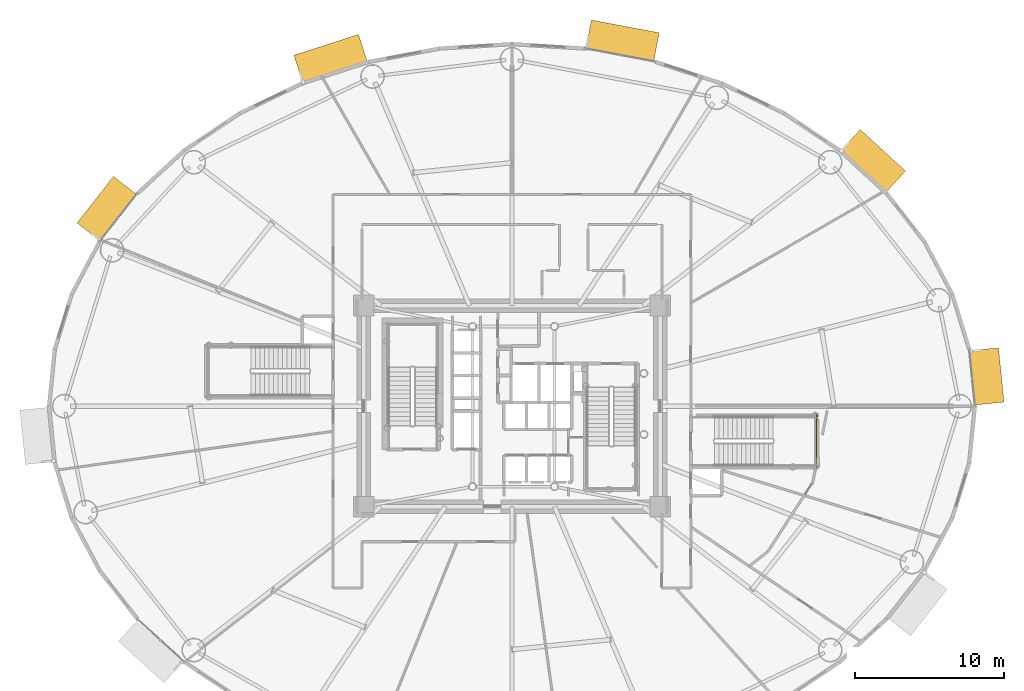
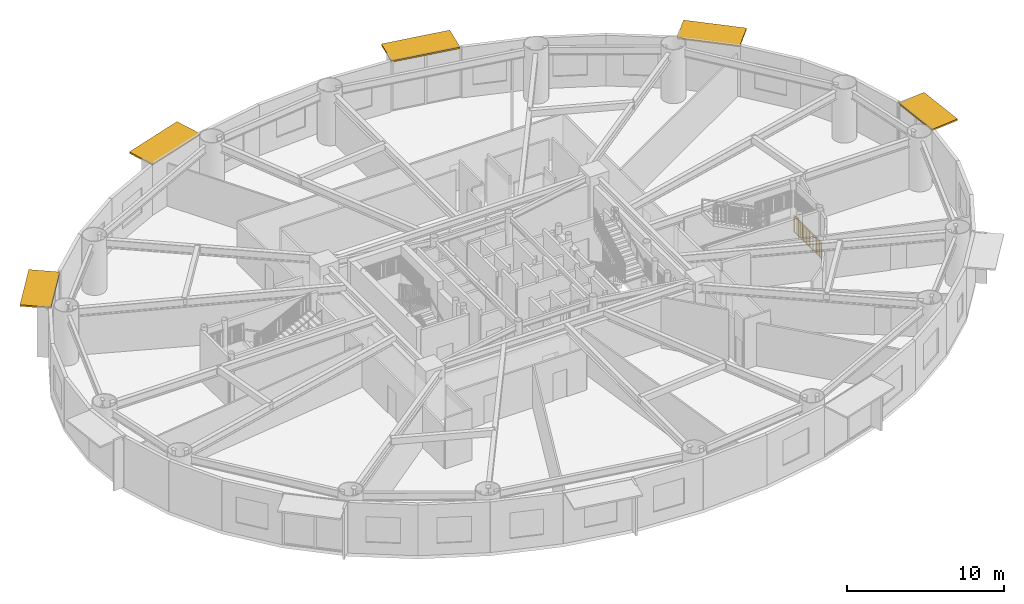
# One storey, part 35 of 35: 5 shading devices, 1 railing.
"""IFC4 building model written with IfcOpenShell, lengths in metres."""

from ifc_helpers import new_model, si_unit, direction, frame, origin, origin_2d, place, context, subcontext, project, spatial, rectangle, extrude, source, transform, mapped, material, layer, layer_set, type_object, element, save


model = new_model("IFC4")

# Units and contexts
model_context = context("Model", 3, precision=1e-05, world=origin(), true_north=direction((0.0, 1.0)))
body_context = subcontext(model_context, "Body", "Model", "MODEL_VIEW")
ifc_project = project(units=[si_unit("LENGTHUNIT", "METRE"), si_unit("AREAUNIT", "SQUARE_METRE"), si_unit("VOLUMEUNIT", "CUBIC_METRE"), si_unit("PLANEANGLEUNIT", "RADIAN"), si_unit("MASSUNIT", "GRAM", prefix="KILO")], contexts=[model_context])

# Site, building, storey
site_placement = place(None, origin())
site = spatial("IfcSite", under=ifc_project, at=site_placement, CompositionType="ELEMENT")
building_placement = place(site_placement, origin())
building = spatial("IfcBuilding", under=site, at=building_placement, Name="Linh Dai School and Residence Tower", CompositionType="ELEMENT")
storey_placement = place(building_placement, frame((0.0, 0.0, 49.199951171875)))
storey = spatial("IfcBuildingStorey", under=building, at=storey_placement, Name="L11", CompositionType="ELEMENT", Elevation=49.199951171875)

# Shading devices
ifc_material_1 = material(Name="Terracotta Ceramic Sunshade", Category="masonry")
ifc_layer = layer(ifc_material_1, 0.1201171875)
ifc_layer_set = layer_set([ifc_layer], Name="Terracotta Ceramic Sunshade")
shading_device_type = type_object("IfcShadingDeviceType", Name="SHD-TC-2000", PredefinedType="USERDEFINED", material=ifc_layer_set)
shared_shape_1 = source(origin(), body_context, "Body", "SweptSolid", [
    extrude(rectangle(XDim=3.663330078125, YDim=2.0, at=origin_2d()), origin(), (0.0, 0.0, 1.0), 0.1201171875),
])
shading_device_1_placement = place(storey_placement, frame((67.83935546875, 28.994384765625, 3.81005859375), z_axis=(0.0, 0.0, 1.0), x_axis=(0.100009387998, -0.994986493533, 0.0)))
element("IfcShadingDevice", 1, at=shading_device_1_placement, inside=storey, type_object=shading_device_type, Name="L11 Terracotta Horizontal Sunshade Band 01", ObjectType="SUNSHADE", PredefinedType="USERDEFINED", context=body_context, shape_type="MappedRepresentation", body=[
    mapped(shared_shape_1, transform((0.0, 0.0, 0.0), x_axis=(1.0, 0.0, 0.0), y_axis=(0.0, 1.0, 0.0), z_axis=(0.0, 0.0, 1.0), scale=1.0)),
])
shared_shape_2 = source(origin(), body_context, "Body", "SweptSolid", [
    extrude(rectangle(XDim=4.1220703125, YDim=2.0, at=origin_2d()), origin(), (0.0, 0.0, 1.0), 0.1201171875),
])
shading_device_2_placement = place(storey_placement, frame((60.2158203125, 43.43310546875, 3.81005859375), z_axis=(0.0, 0.0, 1.0), x_axis=(0.737113246362, -0.675769237268, 0.0)))
element("IfcShadingDevice", 2, at=shading_device_2_placement, inside=storey, type_object=shading_device_type, Name="L11 Terracotta Horizontal Sunshade Band 05", ObjectType="SUNSHADE", PredefinedType="USERDEFINED", context=body_context, shape_type="MappedRepresentation", body=[
    mapped(shared_shape_2, transform((0.0, 0.0, 0.0), x_axis=(1.0, 0.0, 0.0), y_axis=(0.0, 1.0, 0.0), z_axis=(0.0, 0.0, 1.0), scale=1.0)),
])
shared_shape_3 = source(origin(), body_context, "Body", "SweptSolid", [
    extrude(rectangle(XDim=4.635009765625, YDim=2.0, at=origin_2d()), origin(), (0.0, 0.0, 1.0), 0.1201171875),
])
shading_device_3_placement = place(storey_placement, frame((43.415283203125, 51.502685546875, 3.81005859375), z_axis=(0.0, 0.0, 1.0), x_axis=(0.982785935675, -0.184747948944, 0.0)))
element("IfcShadingDevice", 3, at=shading_device_3_placement, inside=storey, type_object=shading_device_type, Name="L11 Terracotta Horizontal Sunshade Band 09", ObjectType="SUNSHADE", PredefinedType="USERDEFINED", context=body_context, shape_type="MappedRepresentation", body=[
    mapped(shared_shape_3, transform((0.0, 0.0, 0.0), x_axis=(1.0, 0.0, 0.0), y_axis=(0.0, 1.0, 0.0), z_axis=(0.0, 0.0, 1.0), scale=1.0)),
])
shared_shape_4 = source(origin(), body_context, "Body", "SweptSolid", [
    extrude(rectangle(XDim=4.54931640625, YDim=2.0, at=origin_2d()), origin(), (0.0, 0.0, 1.0), 0.1201171875),
])
shading_device_4_placement = place(storey_placement, frame((23.839599609375, 50.29541015625, 3.81005859375), z_axis=(0.0, 0.0, 1.0), x_axis=(0.951220777043, 0.308510993844, 0.0)))
element("IfcShadingDevice", 4, at=shading_device_4_placement, inside=storey, type_object=shading_device_type, Name="L11 Terracotta Horizontal Sunshade Band 13", ObjectType="SUNSHADE", PredefinedType="USERDEFINED", context=body_context, shape_type="MappedRepresentation", body=[
    mapped(shared_shape_4, transform((0.0, 0.0, 0.0), x_axis=(1.0, 0.0, 0.0), y_axis=(0.0, 1.0, 0.0), z_axis=(0.0, 0.0, 1.0), scale=1.0)),
])
shared_shape_5 = source(origin(), body_context, "Body", "SweptSolid", [
    extrude(rectangle(XDim=3.964111328125, YDim=2.0, at=origin_2d()), origin(), (0.0, 0.0, 1.0), 0.1201171875),
])
shading_device_5_placement = place(storey_placement, frame((8.82177734375, 40.240478515625, 3.81005859375), z_axis=(0.0, 0.0, 1.0), x_axis=(0.616319427785, 0.787496262172, 0.0)))
element("IfcShadingDevice", 5, at=shading_device_5_placement, inside=storey, type_object=shading_device_type, Name="L11 Terracotta Horizontal Sunshade Band 17", ObjectType="SUNSHADE", PredefinedType="USERDEFINED", context=body_context, shape_type="MappedRepresentation", body=[
    mapped(shared_shape_5, transform((0.0, 0.0, 0.0), x_axis=(1.0, 0.0, 0.0), y_axis=(0.0, 1.0, 0.0), z_axis=(0.0, 0.0, 1.0), scale=1.0)),
])

# Railing
ifc_material_2 = material(Name="Structural Steel S355JR", Category="steel")
railing_type = type_object("IfcRailingType", Name="RL-ST-GUARD-1400", PredefinedType="GUARDRAIL", material=ifc_material_2)
shared_shape_6 = source(origin(), body_context, "Body", "SweptSolid", [
    extrude(rectangle(XDim=0.048095703125, YDim=0.048095703125, at=origin_2d()), frame((0.0, 0.0, 1.3759765625), z_axis=(0.0, 1.0, 0.0), x_axis=(-1.0, 0.0, 0.0)), (0.0, 0.0, 1.0), 3.5),
    extrude(rectangle(XDim=0.048095703125, YDim=0.048095703125, at=origin_2d()), frame((0.0, 0.0, 0.10009765625), z_axis=(0.0, 1.0, 0.0), x_axis=(-1.0, 0.0, 0.0)), (0.0, 0.0, 1.0), 3.5),
    extrude(rectangle(XDim=0.030029296875, YDim=0.030029296875, at=origin_2d()), frame((0.0, 0.0, 1.239990234375), z_axis=(0.0, 1.0, 0.0), x_axis=(-1.0, 0.0, 0.0)), (0.0, 0.0, 1.0), 3.5),
    extrude(rectangle(XDim=0.02001953125, YDim=0.02001953125, at=origin_2d()), frame((0.0, 0.09716796875, 0.10009765625)), (0.0, 0.0, 1.0), 1.251708984375),
    extrude(rectangle(XDim=0.02001953125, YDim=0.02001953125, at=origin_2d()), frame((0.0, 0.1943359375, 0.10009765625)), (0.0, 0.0, 1.0), 1.251708984375),
    extrude(rectangle(XDim=0.02001953125, YDim=0.02001953125, at=origin_2d()), frame((0.0, 0.291748046875, 0.10009765625)), (0.0, 0.0, 1.0), 1.251708984375),
    extrude(rectangle(XDim=0.02001953125, YDim=0.02001953125, at=origin_2d()), frame((0.0, 0.388916015625, 0.10009765625)), (0.0, 0.0, 1.0), 1.251708984375),
    extrude(rectangle(XDim=0.02001953125, YDim=0.02001953125, at=origin_2d()), frame((0.0, 0.486083984375, 0.10009765625)), (0.0, 0.0, 1.0), 1.251708984375),
    extrude(rectangle(XDim=0.02001953125, YDim=0.02001953125, at=origin_2d()), frame((0.0, 0.583251953125, 0.10009765625)), (0.0, 0.0, 1.0), 1.251708984375),
    extrude(rectangle(XDim=0.02001953125, YDim=0.02001953125, at=origin_2d()), frame((0.0, 0.6806640625, 0.10009765625)), (0.0, 0.0, 1.0), 1.251708984375),
    extrude(rectangle(XDim=0.02001953125, YDim=0.02001953125, at=origin_2d()), frame((0.0, 0.77783203125, 0.10009765625)), (0.0, 0.0, 1.0), 1.251708984375),
    extrude(rectangle(XDim=0.02001953125, YDim=0.02001953125, at=origin_2d()), frame((0.0, 0.875, 0.10009765625)), (0.0, 0.0, 1.0), 1.251708984375),
    extrude(rectangle(XDim=0.02001953125, YDim=0.02001953125, at=origin_2d()), frame((0.0, 0.97216796875, 0.10009765625)), (0.0, 0.0, 1.0), 1.251708984375),
    extrude(rectangle(XDim=0.02001953125, YDim=0.02001953125, at=origin_2d()), frame((0.0, 1.0693359375, 0.10009765625)), (0.0, 0.0, 1.0), 1.251708984375),
    extrude(rectangle(XDim=0.02001953125, YDim=0.02001953125, at=origin_2d()), frame((0.0, 1.263916015625, 0.10009765625)), (0.0, 0.0, 1.0), 1.251708984375),
    extrude(rectangle(XDim=0.02001953125, YDim=0.02001953125, at=origin_2d()), frame((0.0, 1.361083984375, 0.10009765625)), (0.0, 0.0, 1.0), 1.251708984375),
    extrude(rectangle(XDim=0.02001953125, YDim=0.02001953125, at=origin_2d()), frame((0.0, 1.458251953125, 0.10009765625)), (0.0, 0.0, 1.0), 1.251708984375),
    extrude(rectangle(XDim=0.02001953125, YDim=0.02001953125, at=origin_2d()), frame((0.0, 1.5556640625, 0.10009765625)), (0.0, 0.0, 1.0), 1.251708984375),
    extrude(rectangle(XDim=0.02001953125, YDim=0.02001953125, at=origin_2d()), frame((0.0, 1.65283203125, 0.10009765625)), (0.0, 0.0, 1.0), 1.251708984375),
    extrude(rectangle(XDim=0.02001953125, YDim=0.02001953125, at=origin_2d()), frame((0.0, 1.75, 0.10009765625)), (0.0, 0.0, 1.0), 1.251708984375),
    extrude(rectangle(XDim=0.02001953125, YDim=0.02001953125, at=origin_2d()), frame((0.0, 1.84716796875, 0.10009765625)), (0.0, 0.0, 1.0), 1.251708984375),
    extrude(rectangle(XDim=0.02001953125, YDim=0.02001953125, at=origin_2d()), frame((0.0, 1.9443359375, 0.10009765625)), (0.0, 0.0, 1.0), 1.251708984375),
    extrude(rectangle(XDim=0.02001953125, YDim=0.02001953125, at=origin_2d()), frame((0.0, 2.041748046875, 0.10009765625)), (0.0, 0.0, 1.0), 1.251708984375),
    extrude(rectangle(XDim=0.02001953125, YDim=0.02001953125, at=origin_2d()), frame((0.0, 2.138916015625, 0.10009765625)), (0.0, 0.0, 1.0), 1.251708984375),
    extrude(rectangle(XDim=0.02001953125, YDim=0.02001953125, at=origin_2d()), frame((0.0, 2.236083984375, 0.10009765625)), (0.0, 0.0, 1.0), 1.251708984375),
    extrude(rectangle(XDim=0.02001953125, YDim=0.02001953125, at=origin_2d()), frame((0.0, 2.4306640625, 0.10009765625)), (0.0, 0.0, 1.0), 1.251708984375),
    extrude(rectangle(XDim=0.02001953125, YDim=0.02001953125, at=origin_2d()), frame((0.0, 2.52783203125, 0.10009765625)), (0.0, 0.0, 1.0), 1.251708984375),
    extrude(rectangle(XDim=0.02001953125, YDim=0.02001953125, at=origin_2d()), frame((0.0, 2.625, 0.10009765625)), (0.0, 0.0, 1.0), 1.251708984375),
    extrude(rectangle(XDim=0.02001953125, YDim=0.02001953125, at=origin_2d()), frame((0.0, 2.72216796875, 0.10009765625)), (0.0, 0.0, 1.0), 1.251708984375),
    extrude(rectangle(XDim=0.02001953125, YDim=0.02001953125, at=origin_2d()), frame((0.0, 2.8193359375, 0.10009765625)), (0.0, 0.0, 1.0), 1.251708984375),
    extrude(rectangle(XDim=0.02001953125, YDim=0.02001953125, at=origin_2d()), frame((0.0, 2.916748046875, 0.10009765625)), (0.0, 0.0, 1.0), 1.251708984375),
    extrude(rectangle(XDim=0.02001953125, YDim=0.02001953125, at=origin_2d()), frame((0.0, 3.013916015625, 0.10009765625)), (0.0, 0.0, 1.0), 1.251708984375),
    extrude(rectangle(XDim=0.02001953125, YDim=0.02001953125, at=origin_2d()), frame((0.0, 3.111083984375, 0.10009765625)), (0.0, 0.0, 1.0), 1.251708984375),
    extrude(rectangle(XDim=0.02001953125, YDim=0.02001953125, at=origin_2d()), frame((0.0, 3.208251953125, 0.10009765625)), (0.0, 0.0, 1.0), 1.251708984375),
    extrude(rectangle(XDim=0.02001953125, YDim=0.02001953125, at=origin_2d()), frame((0.0, 3.3056640625, 0.10009765625)), (0.0, 0.0, 1.0), 1.251708984375),
    extrude(rectangle(XDim=0.02001953125, YDim=0.02001953125, at=origin_2d()), frame((0.0, 3.40283203125, 0.10009765625)), (0.0, 0.0, 1.0), 1.251708984375),
    extrude(rectangle(XDim=0.0419921875, YDim=0.0419921875, at=origin_2d()), origin(), (0.0, 0.0, 1.0), 1.3759765625),
    extrude(rectangle(XDim=0.0419921875, YDim=0.0419921875, at=origin_2d()), frame((0.0, 1.166748046875, 0.0)), (0.0, 0.0, 1.0), 1.3759765625),
    extrude(rectangle(XDim=0.0419921875, YDim=0.0419921875, at=origin_2d()), frame((0.0, 2.333251953125, 0.0)), (0.0, 0.0, 1.0), 1.3759765625),
    extrude(rectangle(XDim=0.0419921875, YDim=0.0419921875, at=origin_2d()), frame((0.0, 3.5, 0.0)), (0.0, 0.0, 1.0), 1.3759765625),
])
railing_placement = place(storey_placement, frame((56.449951171875, 22.89990234375, 0.0)))
element("IfcRailing", 6, at=railing_placement, inside=storey, type_object=railing_type, Name="L11 STS2 stair guard 12", PredefinedType="GUARDRAIL", context=body_context, shape_type="MappedRepresentation", body=[
    mapped(shared_shape_6, transform((0.0, 0.0, 0.0), x_axis=(1.0, 0.0, 0.0), y_axis=(0.0, 1.0, 0.0), z_axis=(0.0, 0.0, 1.0), scale=1.0)),
])

save(model, "model.ifc")
